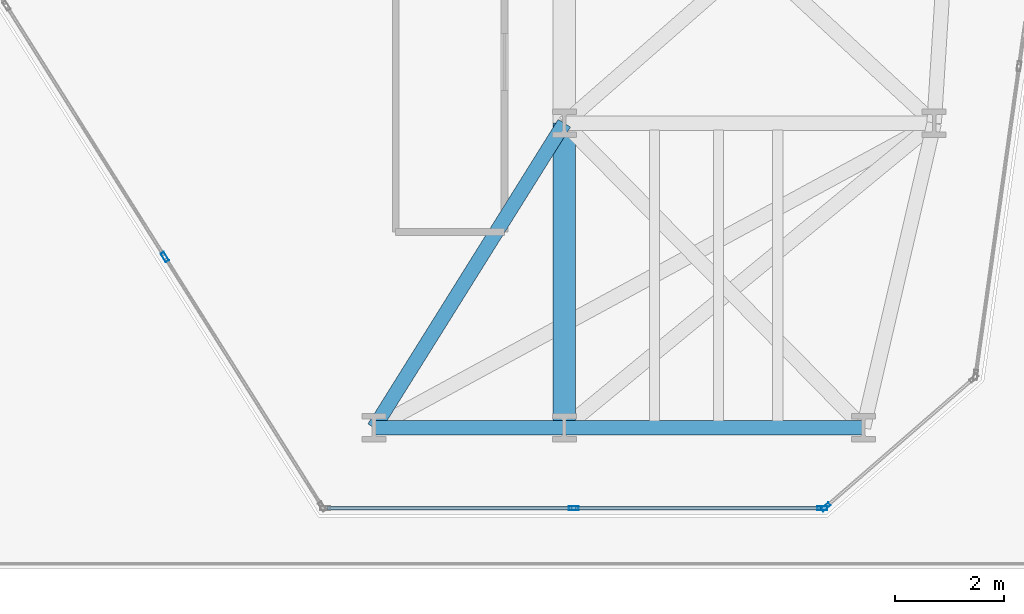
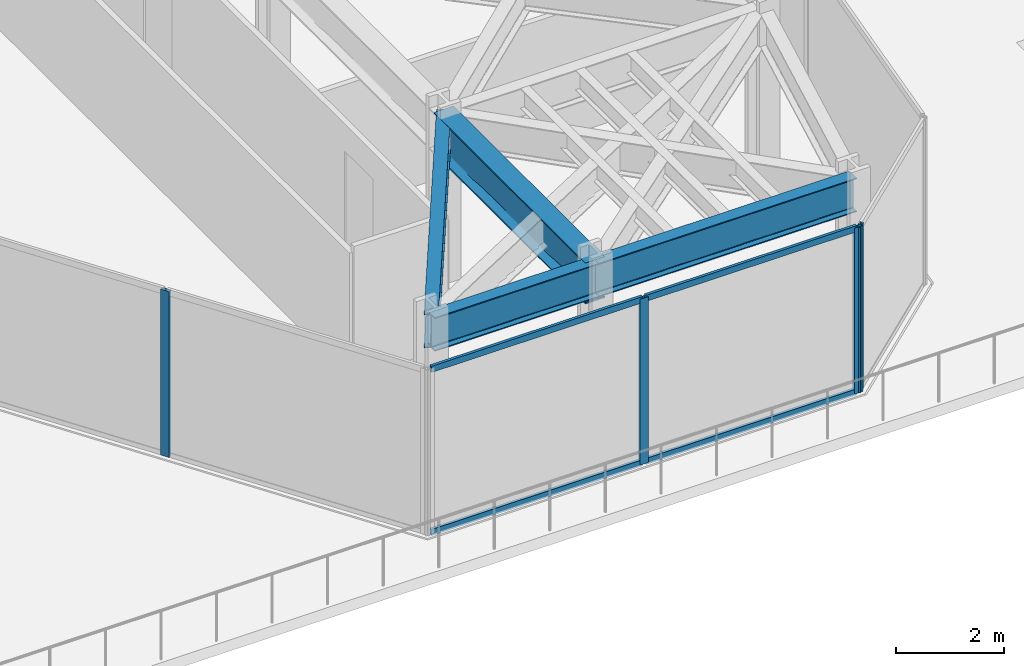
# One storey, part 8 of 25: 8 members, 4 beams, 3 elements without a shape of their own.
"""IFC4 building model written with IfcOpenShell, lengths in metres."""

from ifc_helpers import new_model, si_unit, direction, frame, origin, origin_2d, place, context, subcontext, project, spatial, hollow_rectangle, i_section, extrude, material, layer, layer_set, material_profile, profile_set, type_object, element, aggregate, save


model = new_model("IFC4")

# Units and contexts
model_context = context("Model", 3, precision=1e-05, world=origin(), true_north=direction((0.0, 1.0)))
body_context = subcontext(model_context, "Body", "Model", "MODEL_VIEW")
ifc_project = project(units=[si_unit("LENGTHUNIT", "METRE"), si_unit("AREAUNIT", "SQUARE_METRE"), si_unit("VOLUMEUNIT", "CUBIC_METRE"), si_unit("PLANEANGLEUNIT", "RADIAN"), si_unit("MASSUNIT", "GRAM", prefix="KILO")], contexts=[model_context])

# Site, building, storey
site_placement = place(None, origin())
site = spatial("IfcSite", under=ifc_project, at=site_placement, CompositionType="ELEMENT")
building_placement = place(site_placement, origin())
building = spatial("IfcBuilding", under=site, at=building_placement, Name="Kravanh Interchange Tower", CompositionType="ELEMENT")
storey_placement = place(building_placement, frame((0.0, 0.0, 29.5)))
storey = spatial("IfcBuildingStorey", under=building, at=storey_placement, Name="L06", CompositionType="ELEMENT", Elevation=29.5)

# Curtain wall, member
ifc_material_1 = material(Name="Anodised Bronze Aluminium", Category="aluminium")
ifc_layer = layer(ifc_material_1, 0.179931640625)
ifc_layer_set = layer_set([ifc_layer], Name="Unitised Curtain Wall System CW-Z1 Lower Office")
curtain_wall_type = type_object("IfcCurtainWallType", Name="Unitised Curtain Wall System CW-Z1 Lower Office", PredefinedType="NOTDEFINED", material=ifc_layer_set)
curtain_wall_1_placement = place(storey_placement, origin())
curtain_wall_1 = element("IfcCurtainWall", 1, at=curtain_wall_1_placement, inside=storey, type_object=curtain_wall_type, Name="L06 Unitised Curtain Wall CW-L06-02", PredefinedType="NOTDEFINED")
ifc_material_2 = material(Name="Anodised Bronze Aluminium", Category="aluminium")
ifc_material_profile_1 = material_profile(ifc_material_2, hollow_rectangle(XDim=0.070068359375, YDim=0.179931640625, WallThickness=0.00390625, at=origin_2d()), Name="ALU70X180X4")
ifc_profile_set_1 = profile_set([ifc_material_profile_1], Name="Anodised Bronze Aluminium")
member_type_1 = type_object("IfcMemberType", Name="Curtain Wall Mullion ALU70X180X4 Bronze", PredefinedType="MULLION", material=ifc_profile_set_1)
member_1_placement = place(storey_placement, frame((60.805908203125, 1.14306640625, 0.0), z_axis=(0.0, 0.0, 1.0), x_axis=(0.656060422341, -0.754708368999, 0.0)))
member_1 = element("IfcMember", 2, at=member_1_placement, type_object=member_type_1, Name="CW-Z1 mullion 2", PredefinedType="MULLION", context=body_context, shape_type="SweptSolid", body=[
    extrude(hollow_rectangle(XDim=0.070068359375, YDim=0.179931640625, WallThickness=0.00390625, at=origin_2d()), origin(), (0.0, 0.0, 1.0), 3.739990234375),
])
aggregate(curtain_wall_1, [member_1])

# Curtain wall, members
curtain_wall_2_placement = place(storey_placement, origin())
curtain_wall_2 = element("IfcCurtainWall", 3, at=curtain_wall_2_placement, inside=storey, type_object=curtain_wall_type, Name="L06 Unitised Curtain Wall CW-L06-03", PredefinedType="NOTDEFINED")
member_2_placement = place(storey_placement, frame((60.744384765625, 1.1201171875, 0.0), z_axis=(0.0, 0.0, 1.0), x_axis=(0.0, -1.0, 0.0)))
member_2 = element("IfcMember", 4, at=member_2_placement, type_object=member_type_1, Name="CW-Z1 mullion 1", PredefinedType="MULLION", context=body_context, shape_type="SweptSolid", body=[
    extrude(hollow_rectangle(XDim=0.070068359375, YDim=0.179931640625, WallThickness=0.00390625, at=origin_2d()), origin(), (0.0, 0.0, 1.0), 3.739990234375),
])
member_3_placement = place(storey_placement, frame((56.1728515625, 1.1201171875, 0.0), z_axis=(0.0, 0.0, 1.0), x_axis=(0.0, -1.0, 0.0)))
member_3 = element("IfcMember", 5, at=member_3_placement, type_object=member_type_1, Name="CW-Z1 mullion 2", PredefinedType="MULLION", context=body_context, shape_type="SweptSolid", body=[
    extrude(hollow_rectangle(XDim=0.070068359375, YDim=0.179931640625, WallThickness=0.00390625, at=origin_2d()), origin(), (0.0, 0.0, 1.0), 3.739990234375),
])

# Curtain wall, member
curtain_wall_3_placement = place(storey_placement, origin())
curtain_wall_3 = element("IfcCurtainWall", 6, at=curtain_wall_3_placement, inside=storey, type_object=curtain_wall_type, Name="L06 Unitised Curtain Wall CW-L06-04", PredefinedType="NOTDEFINED")
member_4_placement = place(storey_placement, frame((48.653076171875, 5.740966796875, 0.0), z_axis=(0.0, 0.0, 1.0), x_axis=(-0.845925530786, -0.53330103728, 0.0)))
member_4 = element("IfcMember", 7, at=member_4_placement, type_object=member_type_1, Name="CW-Z1 mullion 2", PredefinedType="MULLION", context=body_context, shape_type="SweptSolid", body=[
    extrude(hollow_rectangle(XDim=0.070068359375, YDim=0.179931640625, WallThickness=0.00390625, at=origin_2d()), origin(), (0.0, 0.0, 1.0), 3.739990234375),
])
aggregate(curtain_wall_3, [member_4])

# Member
ifc_material_3 = material(Name="Anodised Bronze Aluminium", Category="aluminium")
ifc_material_profile_2 = material_profile(ifc_material_3, hollow_rectangle(XDim=0.06005859375, YDim=0.139892578125, WallThickness=0.00390625, at=origin_2d()), Name="ALU60X140X4")
ifc_profile_set_2 = profile_set([ifc_material_profile_2], Name="Anodised Bronze Aluminium")
member_type_2 = type_object("IfcMemberType", Name="Curtain Wall Transom ALU60X140X4 Bronze", PredefinedType="USERDEFINED", material=ifc_profile_set_2)
member_5_placement = place(storey_placement, frame((60.70947265625, 1.1201171875, 0.030029296875), z_axis=(-1.0, 0.0, 0.0), x_axis=(0.0, -1.0, 0.0)))
member_5 = element("IfcMember", 8, at=member_5_placement, type_object=member_type_2, Name="CW-Z1 transom 1.1", ObjectType="TRANSOM", PredefinedType="USERDEFINED", context=body_context, shape_type="SweptSolid", body=[
    extrude(hollow_rectangle(XDim=0.06005859375, YDim=0.139892578125, WallThickness=0.00390625, at=origin_2d()), origin(), (0.0, 0.0, 1.0), 4.501708984375),
])

member_6_placement = place(storey_placement, frame((60.70947265625, 1.1201171875, 3.7099609375), z_axis=(-1.0, 0.0, 0.0), x_axis=(0.0, -1.0, 0.0)))
member_6 = element("IfcMember", 9, at=member_6_placement, type_object=member_type_2, Name="CW-Z1 transom 1.2", ObjectType="TRANSOM", PredefinedType="USERDEFINED", context=body_context, shape_type="SweptSolid", body=[
    extrude(hollow_rectangle(XDim=0.06005859375, YDim=0.139892578125, WallThickness=0.00390625, at=origin_2d()), origin(), (0.0, 0.0, 1.0), 4.501708984375),
])

member_7_placement = place(storey_placement, frame((56.1376953125, 1.1201171875, 0.030029296875), z_axis=(-1.0, 0.0, 0.0), x_axis=(0.0, -1.0, 0.0)))
member_7 = element("IfcMember", 10, at=member_7_placement, type_object=member_type_2, Name="CW-Z1 transom 2.1", ObjectType="TRANSOM", PredefinedType="USERDEFINED", context=body_context, shape_type="SweptSolid", body=[
    extrude(hollow_rectangle(XDim=0.06005859375, YDim=0.139892578125, WallThickness=0.00390625, at=origin_2d()), origin(), (0.0, 0.0, 1.0), 4.50146484375),
])

member_8_placement = place(storey_placement, frame((56.1376953125, 1.1201171875, 3.7099609375), z_axis=(-1.0, 0.0, 0.0), x_axis=(0.0, -1.0, 0.0)))
member_8 = element("IfcMember", 11, at=member_8_placement, type_object=member_type_2, Name="CW-Z1 transom 2.2", ObjectType="TRANSOM", PredefinedType="USERDEFINED", context=body_context, shape_type="SweptSolid", body=[
    extrude(hollow_rectangle(XDim=0.06005859375, YDim=0.139892578125, WallThickness=0.00390625, at=origin_2d()), origin(), (0.0, 0.0, 1.0), 4.50146484375),
])

aggregate(curtain_wall_2, [member_2, member_3, member_5, member_6, member_7, member_8])

# Beams
ifc_material_4 = material(Name="Structural Steel S355", Category="steel")
ifc_material_profile_3 = material_profile(ifc_material_4, i_section(OverallWidth=0.41796875, OverallDepth=0.927001953125, WebThickness=0.019287109375, FlangeThickness=0.031982421875, FilletRadius=0.028076171875, at=origin_2d()), Name="W36X231")
ifc_profile_set_3 = profile_set([ifc_material_profile_3], Name="Structural Steel S355")
beam_type_1 = type_object("IfcBeamType", Name="Floor Beam W36X231 Structural Steel S355", PredefinedType="BEAM", material=ifc_profile_set_3)
beam_1_placement = place(storey_placement, frame((56.0, 2.60009765625, 3.276611328125), z_axis=(0.0, 1.0, 0.0), x_axis=(-1.0, 0.0, 0.0)))
element("IfcBeam", 12, at=beam_1_placement, inside=storey, type_object=beam_type_1, Name="L06 Primary Floor Girder 129", PredefinedType="BEAM", context=body_context, shape_type="SweptSolid", body=[
    extrude(i_section(OverallWidth=0.41796875, OverallDepth=0.927001953125, WebThickness=0.019287109375, FlangeThickness=0.031982421875, FilletRadius=0.028076171875, at=origin_2d()), origin(), (0.0, 0.0, 1.0), 5.599853515625),
])
ifc_material_5 = material(Name="Structural Steel S355", Category="steel")
ifc_material_profile_4 = material_profile(ifc_material_5, i_section(OverallWidth=0.26708984375, OverallDepth=0.761962890625, WebThickness=0.014404296875, FlangeThickness=0.021484375, FilletRadius=0.02490234375, at=origin_2d()), Name="W30X116")
ifc_profile_set_4 = profile_set([ifc_material_profile_4], Name="Structural Steel S355")
beam_type_2 = type_object("IfcBeamType", Name="Floor Spandrel W30X116 Structural Steel S355", PredefinedType="SPANDREL", material=ifc_profile_set_4)
beam_2_placement = place(storey_placement, frame((52.5, 2.60009765625, 3.35888671875), z_axis=(1.0, 0.0, 0.0), x_axis=(0.0, 1.0, 0.0)))
element("IfcBeam", 13, at=beam_2_placement, inside=storey, type_object=beam_type_2, Name="L06 Perimeter Spandrel 125", PredefinedType="SPANDREL", context=body_context, shape_type="SweptSolid", body=[
    extrude(i_section(OverallWidth=0.26708984375, OverallDepth=0.761962890625, WebThickness=0.014404296875, FlangeThickness=0.021484375, FilletRadius=0.02490234375, at=origin_2d()), origin(), (0.0, 0.0, 1.0), 3.5),
])
beam_3_placement = place(storey_placement, frame((52.5, 2.60009765625, 3.35888671875), z_axis=(0.530008909536, 0.847992072965, 0.0), x_axis=(-0.847992072965, 0.530008909536, 0.0)))
element("IfcBeam", 14, at=beam_3_placement, inside=storey, type_object=beam_type_2, Name="L06 Perimeter Spandrel 126", PredefinedType="SPANDREL", context=body_context, shape_type="SweptSolid", body=[
    extrude(i_section(OverallWidth=0.26708984375, OverallDepth=0.761962890625, WebThickness=0.014404296875, FlangeThickness=0.021484375, FilletRadius=0.02490234375, at=origin_2d()), origin(), (0.0, 0.0, 1.0), 6.603759765625),
])
beam_4_placement = place(storey_placement, frame((56.0, 2.60009765625, 3.35888671875), z_axis=(1.0, 0.0, 0.0), x_axis=(0.0, 1.0, 0.0)))
element("IfcBeam", 15, at=beam_4_placement, inside=storey, type_object=beam_type_2, Name="L06 Perimeter Spandrel 128", PredefinedType="SPANDREL", context=body_context, shape_type="SweptSolid", body=[
    extrude(i_section(OverallWidth=0.26708984375, OverallDepth=0.761962890625, WebThickness=0.014404296875, FlangeThickness=0.021484375, FilletRadius=0.02490234375, at=origin_2d()), origin(), (0.0, 0.0, 1.0), 5.5),
])

save(model, "model.ifc")
